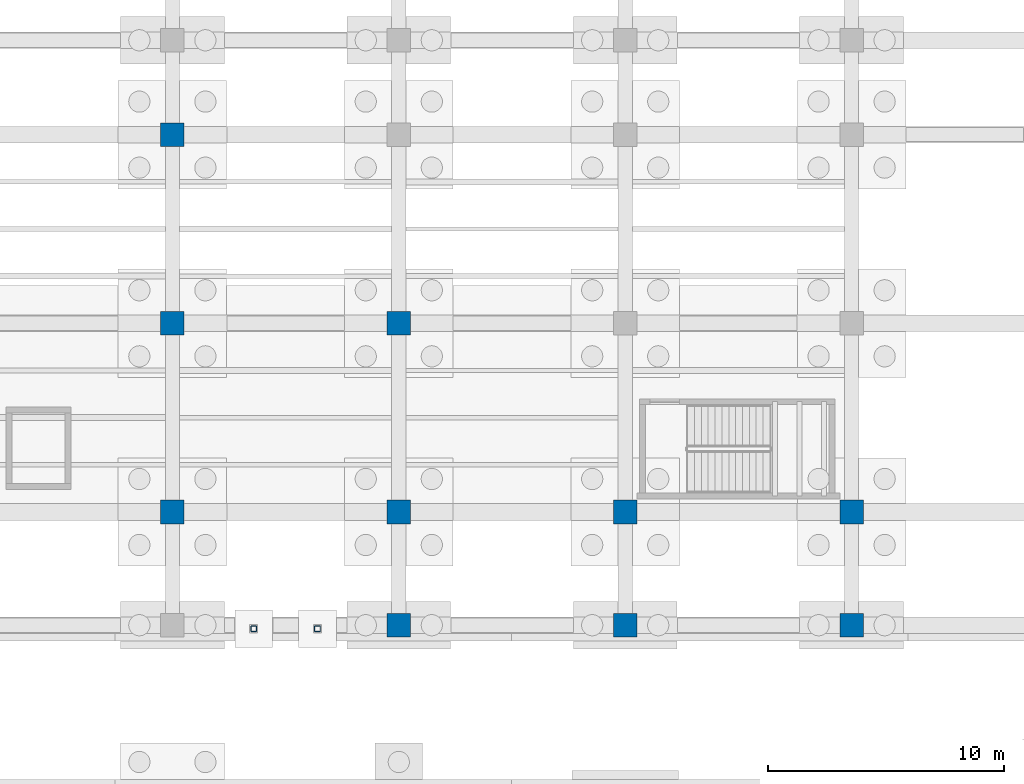
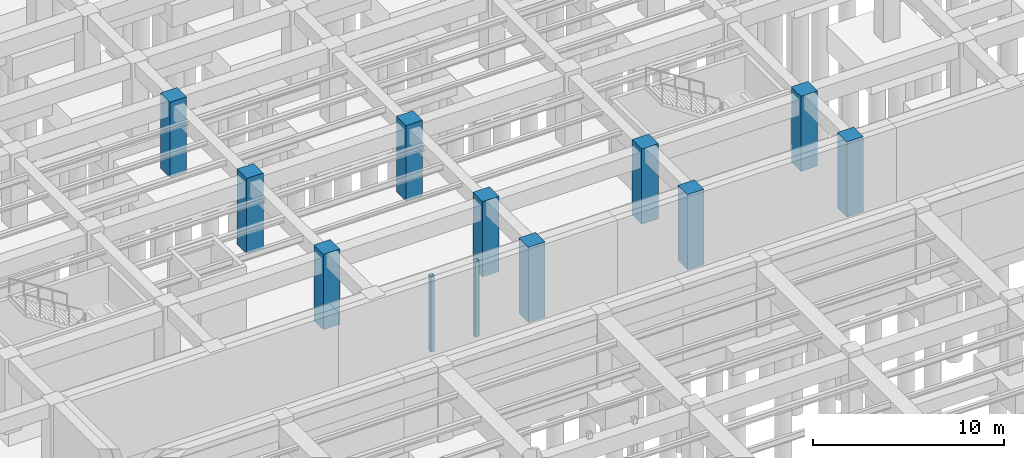
# One storey, part 23 of 56: 12 columns.
"""IFC4 building model written with IfcOpenShell, lengths in metres."""

import ifcopenshell
import ifcopenshell.guid

model = None  # the IFC model being written
_history = None  # IfcOwnerHistory: only IFC2X3 demands one
_inside = {}  # id of a spatial element -> (the spatial element, [elements in it])
_under = {}  # id of a project, library or spatial element -> (it, [spatial elements below it])
_declared = {}  # id of a project -> (the project, [libraries it declares])
_typed = {}  # id of a type object -> (the type object, [elements of that type])
_made_of = {}  # id of a material, layer set ... -> (it, [elements and type objects made of it])


def new_model(schema):
    """Start an empty IFC model of exactly this schema.

    Asked for "IFC4X3", IfcOpenShell would pick the latest addendum, in which some entities
    have other attributes; the version numbers below select the first issue.
    IFC2X3 requires an IfcOwnerHistory on every rooted entity: one is made here for all.
    """
    global model, _history
    if schema == "IFC4X3":
        model = ifcopenshell.file(schema_version=(4, 3, 0, 0))
    else:
        model = ifcopenshell.file(schema=schema)
    _inside.clear()
    _under.clear()
    _declared.clear()
    _typed.clear()
    _made_of.clear()
    _history = None
    if model.schema == "IFC2X3":
        org = make("IfcOrganization", Name="unknown")
        user = make(
            "IfcPersonAndOrganization",
            ThePerson=make("IfcPerson", FamilyName="unknown"),
            TheOrganization=org,
        )
        app = make(
            "IfcApplication",
            ApplicationDeveloper=org,
            Version="unknown",
            ApplicationFullName="unknown",
            ApplicationIdentifier="unknown",
        )
        _history = make(
            "IfcOwnerHistory",
            OwningUser=user,
            OwningApplication=app,
            ChangeAction="ADDED",
            CreationDate=0,
        )
    return model


def make(cls, **values):
    """One entity of the class cls with the attributes given. An attribute that is None is left unset."""
    return model.create_entity(
        cls, **{name: value for name, value in values.items() if value is not None}
    )


def rooted(cls, **values):
    """An entity with a GlobalId (a new one), such as an element, a storey or a relation."""
    return make(cls, GlobalId=ifcopenshell.guid.new(), OwnerHistory=_history, **values)


def si_unit(unit_type, name, prefix=None):
    """IfcSIUnit, for example si_unit("LENGTHUNIT", "METRE", prefix="MILLI")."""
    return make("IfcSIUnit", UnitType=unit_type, Prefix=prefix, Name=name)


def assignment(units):
    """IfcUnitAssignment: the units of a project."""
    return None if units is None else make("IfcUnitAssignment", Units=units)


def point(xyz):
    """IfcCartesianPoint."""
    return None if xyz is None else make("IfcCartesianPoint", Coordinates=xyz)


def direction(xyz):
    """IfcDirection."""
    return None if xyz is None else make("IfcDirection", DirectionRatios=xyz)


def frame(location, z_axis=None, x_axis=None):
    """IfcAxis2Placement3D, a coordinate frame: its origin and axes. An axis left out is left unset."""
    return make(
        "IfcAxis2Placement3D",
        Location=point(location),
        Axis=direction(z_axis),
        RefDirection=direction(x_axis),
    )


def frame_2d(location, x_axis=None):
    """IfcAxis2Placement2D, a coordinate frame in the plane: its origin and x axis."""
    return make(
        "IfcAxis2Placement2D", Location=point(location), RefDirection=direction(x_axis)
    )


def origin():
    """The frame at (0, 0, 0) with its axes left unset."""
    return frame((0.0, 0.0, 0.0))


def origin_2d():
    """The frame at (0, 0) in the plane with its x axis left unset."""
    return frame_2d((0.0, 0.0))


def place(relative_to, where):
    """IfcLocalPlacement: puts the frame where relative to a parent placement (None: the world)."""
    return make(
        "IfcLocalPlacement", PlacementRelTo=relative_to, RelativePlacement=where
    )


def context(
    kind, dimensions, precision=None, world=None, true_north=None, identifier=None
):
    """IfcGeometricRepresentationContext, for example the 3D "Model" context."""
    return make(
        "IfcGeometricRepresentationContext",
        ContextIdentifier=identifier,
        ContextType=kind,
        CoordinateSpaceDimension=dimensions,
        Precision=precision,
        WorldCoordinateSystem=world,
        TrueNorth=true_north,
    )


def subcontext(parent, identifier, kind, view, scale=None):
    """IfcGeometricRepresentationSubContext, for example "Body" below "Model"."""
    return make(
        "IfcGeometricRepresentationSubContext",
        ContextIdentifier=identifier,
        ContextType=kind,
        ParentContext=parent,
        TargetScale=scale,
        TargetView=view,
    )


def project(units=None, contexts=None):
    """IfcProject with its units and contexts."""
    return rooted(
        "IfcProject",
        Name="project",
        RepresentationContexts=contexts,
        UnitsInContext=assignment(units),
    )


def spatial(cls, under=None, at=None, **own):
    """A site, building, storey or space (cls), placed at a placement, below another one or the project."""
    s = rooted(cls, ObjectPlacement=at, **own)
    if under is not None:
        _under.setdefault(under.id(), (under, []))[1].append(s)
    return s


def profile(cls, at=None, kind="AREA", **sizes):
    """A parametric profile (cls). Its sizes go by their IFC names, for example OverallWidth=200.0."""
    return make(cls, ProfileType=kind, Position=at, **sizes)


def rectangle(**sizes):
    """IfcRectangleProfileDef."""
    return profile("IfcRectangleProfileDef", **sizes)


def hollow_rectangle(**sizes):
    """IfcRectangleHollowProfileDef."""
    return profile("IfcRectangleHollowProfileDef", **sizes)


def extrude(swept, where, along, depth):
    """IfcExtrudedAreaSolid: the profile swept, set in the frame where, extruded along a direction by depth."""
    return make(
        "IfcExtrudedAreaSolid",
        SweptArea=swept,
        Position=where,
        ExtrudedDirection=direction(along),
        Depth=depth,
    )


def shape(context_of_items, identifier, shape_type, items):
    """IfcShapeRepresentation: the items that make up one representation, for example the "Body"."""
    return make(
        "IfcShapeRepresentation",
        ContextOfItems=context_of_items,
        RepresentationIdentifier=identifier,
        RepresentationType=shape_type,
        Items=items,
    )


def material(Name=None, Category=None):
    """IfcMaterial."""
    return make("IfcMaterial", Name=Name, Category=Category)


def material_profile(
    of_material, cross_section, Name=None, Category=None, Priority=None
):
    """IfcMaterialProfile: a cross section and its material."""
    return make(
        "IfcMaterialProfile",
        Name=Name,
        Material=of_material,
        Profile=cross_section,
        Priority=Priority,
        Category=Category,
    )


def profile_set(profiles, Name=None, composite=None):
    """IfcMaterialProfileSet."""
    return make(
        "IfcMaterialProfileSet",
        Name=Name,
        MaterialProfiles=profiles,
        CompositeProfile=composite,
    )


def made_of(thing, what):
    """Note that an element or type object is made of a material, layer set ...; save() writes the relation."""
    if what is not None:
        _made_of.setdefault(what.id(), (what, []))[1].append(thing)
    return thing


def type_object(cls, material=None, **own):
    """A type object (cls), such as IfcWallType, which elements share."""
    return made_of(rooted(cls, **own), material)


def element(
    cls,
    number,
    at=None,
    inside=None,
    cuts=None,
    type_object=None,
    material=None,
    context=None,
    identifier="Body",
    shape_type=None,
    held_by="IfcProductDefinitionShape",
    body=None,
    shapes=None,
    **own,
):
    """One element of the class cls, such as IfcWall. Its Tag is "e" and its number.

    at: its placement. inside: the storey or other place that contains it. cuts: it is an
    opening in that element (IfcRelVoidsElement). A single representation is given by context,
    identifier, shape_type and body (its items); several are given by shapes. held_by: the class
    of the entity that holds the representations. save() writes the other relations.
    """
    e = rooted(cls, Tag="e%d" % number, ObjectPlacement=at, **own)
    if body is not None:
        shapes = [shape(context, identifier, shape_type, body)]
    if shapes is not None:
        e.Representation = make(held_by, Representations=shapes)
    if inside is not None:
        _inside.setdefault(inside.id(), (inside, []))[1].append(e)
    if cuts is not None:
        rooted(
            "IfcRelVoidsElement", RelatingBuildingElement=cuts, RelatedOpeningElement=e
        )
    if type_object is not None:
        _typed.setdefault(type_object.id(), (type_object, []))[1].append(e)
    return made_of(e, material)


def aggregate(whole, parts):
    """IfcRelAggregates: a whole, such as a stair, and the parts it consists of."""
    return rooted("IfcRelAggregates", RelatingObject=whole, RelatedObjects=parts)


def save(model, path):
    """Write the relations noted so far, then the file.

    IfcRelAggregates (storeys below a building ...), IfcRelContainedInSpatialStructure (elements
    in a storey), IfcRelDefinesByType, IfcRelAssociatesMaterial and IfcRelDeclares: one each for
    every whole, place, type object, material and project.
    """
    for whole, parts in _under.values():
        aggregate(whole, parts)
    for where, things in _inside.values():
        rooted(
            "IfcRelContainedInSpatialStructure",
            RelatedElements=things,
            RelatingStructure=where,
        )
    for kind, things in _typed.values():
        rooted("IfcRelDefinesByType", RelatedObjects=things, RelatingType=kind)
    for what, things in _made_of.values():
        rooted("IfcRelAssociatesMaterial", RelatedObjects=things, RelatingMaterial=what)
    for by, libraries in _declared.values():
        rooted("IfcRelDeclares", RelatingContext=by, RelatedDefinitions=libraries)
    model.write(path)


model = new_model("IFC4")

# Units and contexts
model_context = context("Model", 3, precision=1e-05, world=origin(), true_north=direction((0.0, 1.0)))
body_context = subcontext(model_context, "Body", "Model", "MODEL_VIEW")
ifc_project = project(units=[si_unit("LENGTHUNIT", "METRE"), si_unit("AREAUNIT", "SQUARE_METRE"), si_unit("VOLUMEUNIT", "CUBIC_METRE"), si_unit("PLANEANGLEUNIT", "RADIAN"), si_unit("MASSUNIT", "GRAM", prefix="KILO")], contexts=[model_context])

# Site, building, storey
site_placement = place(None, origin())
site = spatial("IfcSite", under=ifc_project, at=site_placement, CompositionType="ELEMENT")
building_placement = place(site_placement, origin())
building = spatial("IfcBuilding", under=site, at=building_placement, Name="Mavantir Sound Aquarium", CompositionType="ELEMENT")
storey_placement = place(building_placement, frame((0.0, 0.0, -9.60009765625)))
storey = spatial("IfcBuildingStorey", under=building, at=storey_placement, Name="B2", CompositionType="ELEMENT", Elevation=-9.60009765625)

# Columns
ifc_material_1 = material(Name="Concrete C40/50", Category="concrete")
ifc_material_profile_1 = material_profile(ifc_material_1, rectangle(XDim=1.0, YDim=1.0, at=origin_2d()), Name="RC 1000X1000")
ifc_profile_set_1 = profile_set([ifc_material_profile_1], Name="Concrete C40/50")
column_type_1 = type_object("IfcColumnType", Name="COL-RC1000-I", PredefinedType="COLUMN", material=ifc_profile_set_1)
for number, where, z_axis, x_axis, name in (
    (1, (127.199951171875, 40.800048828125, 0.0), (0.0, 0.0, 1.0), (1.0, 0.0, 0.0), "B2 column RC-C10 (V4)"),
    (2, (127.199951171875, 48.800048828125, 0.0), (0.0, 0.0, 1.0), (1.0, 0.0, 0.0), "B2 column RC-C10 (V4)"),
    (3, (127.199951171875, 56.800048828125, 0.0), (0.0, 0.0, 1.0), (1.0, 0.0, 0.0), "B2 column RC-C10 (V4)"),
    (4, (136.800048828125, 36.0, 0.0), (0.0, 0.0, 1.0), (1.0, 0.0, 0.0), "B2 column RC-C10 (V4)"),
    (5, (136.800048828125, 40.800048828125, 0.0), (0.0, 0.0, 1.0), (1.0, 0.0, 0.0), "B2 column RC-C10 (V4)"),
    (6, (136.800048828125, 48.800048828125, 0.0), (0.0, 0.0, 1.0), (1.0, 0.0, 0.0), "B2 column RC-C10 (V4)"),
    (7, (146.39990234375, 36.0, 0.0), (0.0, 0.0, 1.0), (1.0, 0.0, 0.0), "B2 column RC-C10 (V4)"),
    (8, (146.39990234375, 40.800048828125, 0.0), (0.0, 0.0, 1.0), (1.0, 0.0, 0.0), "B2 column RC-C10 (V4)"),
    (9, (156.0, 36.0, 0.0), (0.0, 0.0, 1.0), (1.0, 0.0, 0.0), "B2 column RC-C10 (V4)"),
    (10, (156.0, 40.800048828125, 0.0), (0.0, 0.0, 1.0), (1.0, 0.0, 0.0), "B2 column RC-C10 (V4)"),
):
    element("IfcColumn", number, at=place(storey_placement, frame(where, z_axis=z_axis, x_axis=x_axis)), inside=storey, type_object=column_type_1, Name=name, PredefinedType="COLUMN", context=body_context, shape_type="SweptSolid", body=[
        extrude(rectangle(XDim=1.0, YDim=1.0, at=origin_2d()), origin(), (0.0, 0.0, 1.0), 4.800048828125),
    ])
ifc_material_2 = material(Name="Hollow Structural Steel ASTM A500 GrC", Category="steel")
ifc_material_profile_2 = material_profile(ifc_material_2, hollow_rectangle(XDim=0.25, YDim=0.25, WallThickness=0.012451171875, InnerFilletRadius=0.012451171875, OuterFilletRadius=0.02490234375, at=origin_2d()), Name="SHS 250X250X12.5")
ifc_profile_set_2 = profile_set([ifc_material_profile_2], Name="Hollow Structural Steel ASTM A500 GrC")
column_type_2 = type_object("IfcColumnType", Name="COL-SHS250-E", PredefinedType="COLUMN", material=ifc_profile_set_2)
for number, where, z_axis, x_axis, name in (
    (11, (130.64990234375, 35.85009765625, 0.0), (0.0, 0.0, 1.0), (1.0, 0.0, 0.0), "Bridge support column 4.2 (B2)"),
    (12, (133.35009765625, 35.85009765625, 0.0), (0.0, 0.0, 1.0), (1.0, 0.0, 0.0), "Bridge support column 4.4 (B2)"),
):
    element("IfcColumn", number, at=place(storey_placement, frame(where, z_axis=z_axis, x_axis=x_axis)), inside=storey, type_object=column_type_2, Name=name, PredefinedType="COLUMN", context=body_context, shape_type="SweptSolid", body=[
        extrude(hollow_rectangle(XDim=0.25, YDim=0.25, WallThickness=0.012451171875, InnerFilletRadius=0.012451171875, OuterFilletRadius=0.02490234375, at=origin_2d()), origin(), (0.0, 0.0, 1.0), 4.800048828125),
    ])

save(model, "model.ifc")
